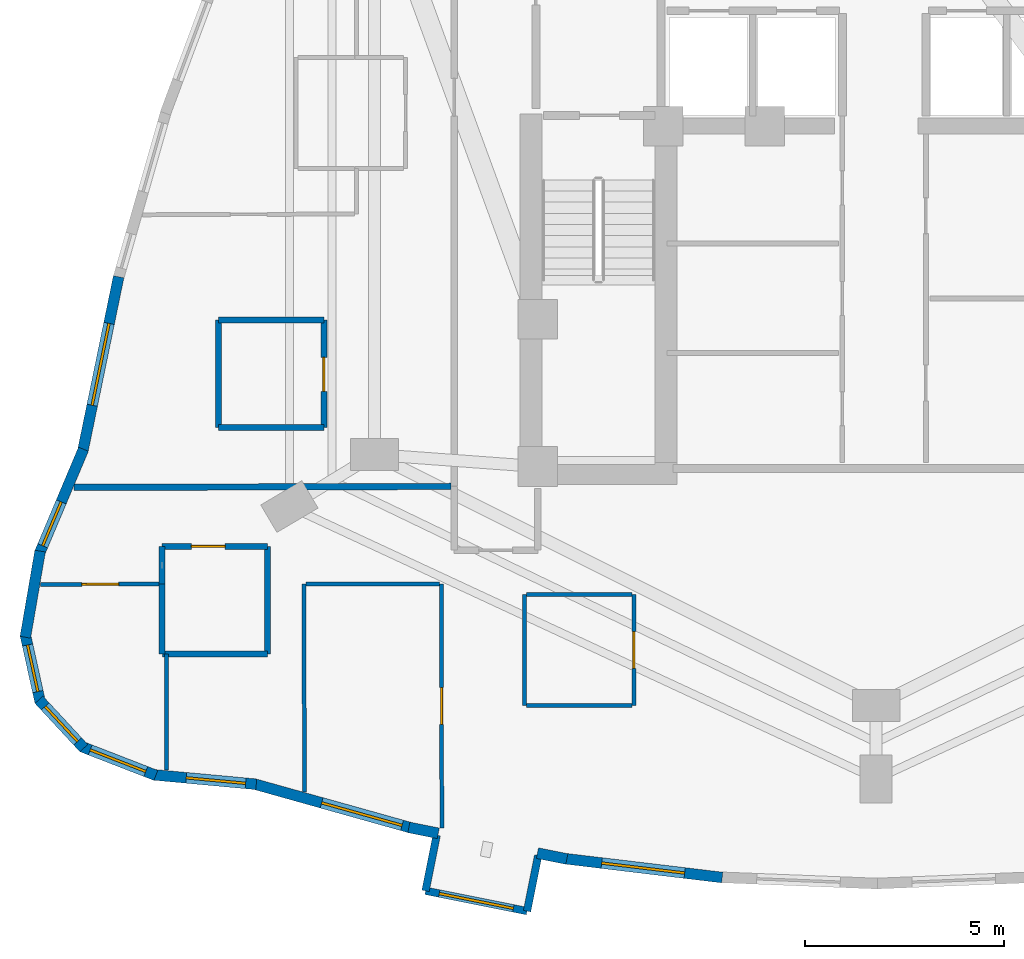
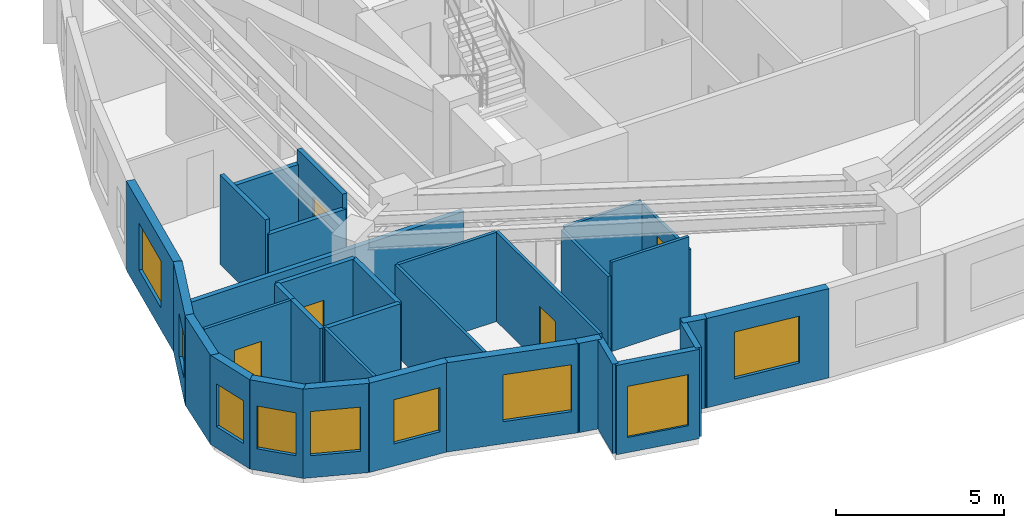
# One storey, part 5 of 11: 33 walls, 9 windows, 5 doors, 14 openings.
"""IFC4 building model written with IfcOpenShell, lengths in metres."""

from ifc_helpers import new_model, si_unit, direction, frame, frame_2d, origin, place, context, subcontext, project, spatial, rectangle, extrude, material, layer, layer_set, type_object, element, fill, save


model = new_model("IFC4")

# Units and contexts
model_context = context("Model", 3, precision=1e-05, world=origin(), true_north=direction((0.0, 1.0)))
body_context = subcontext(model_context, "Body", "Model", "MODEL_VIEW")
ifc_project = project(units=[si_unit("LENGTHUNIT", "METRE"), si_unit("AREAUNIT", "SQUARE_METRE"), si_unit("VOLUMEUNIT", "CUBIC_METRE"), si_unit("PLANEANGLEUNIT", "RADIAN"), si_unit("MASSUNIT", "GRAM", prefix="KILO")], contexts=[model_context])

# Site, building, storey
site_placement = place(None, origin())
site = spatial("IfcSite", under=ifc_project, at=site_placement, CompositionType="ELEMENT")
building_placement = place(site_placement, origin())
building = spatial("IfcBuilding", under=site, at=building_placement, Name="Miruveldt Soraemaru", CompositionType="ELEMENT")
storey_placement = place(building_placement, frame((0.0, 0.0, 156.39990234375)))
storey = spatial("IfcBuildingStorey", under=building, at=storey_placement, Name="L43", CompositionType="ELEMENT", Elevation=156.39990234375)

# Walls
ifc_material_1 = material(Name="White powder-coated aluminium EN AW-6060 T6", Category="aluminium")
ifc_layer_1 = layer(ifc_material_1, 0.18994140625, Name="White powder-coated aluminium EN AW-6060 T6", Category="aluminium")
ifc_layer_set_1 = layer_set([ifc_layer_1], Name="White powder-coated aluminium EN AW-6060 T6")
wall_type_1 = type_object("IfcWallType", Name="WALL-BAY-ALU190", PredefinedType="SOLIDWALL", material=ifc_layer_set_1)
for number, where, z_axis, x_axis, name in (
    (1, (32.960205078125, 26.23828125, 0.0), (0.0, 0.0, 1.0), (-0.195984352603, -0.980607022989, 0.0), "L43 Bay Window Side Cheek 1L"),
    (2, (35.230224609375, 24.330810546875, 0.0), (0.0, 0.0, 1.0), (0.196149079112, 0.980574086321, 0.0), "L43 Bay Window Side Cheek 1R"),
):
    element("IfcWall", number, at=place(storey_placement, frame(where, z_axis=z_axis, x_axis=x_axis)), inside=storey, type_object=wall_type_1, Name=name, PredefinedType="SOLIDWALL", context=body_context, shape_type="SweptSolid", body=[
        extrude(rectangle(XDim=1.425048828125, YDim=0.18994140625, at=frame_2d((0.71240234375, 0.0))), origin(), (0.0, 0.0, 1.0), 3.235107421875),
    ])

# Wall, opening, window
wall_1_placement = place(storey_placement, frame((32.680908203125, 24.8408203125, 0.0), z_axis=(0.0, 0.0, 1.0), x_axis=(0.980569838849, -0.196170311564, 0.0)))
wall_1 = element("IfcWall", 3, at=wall_1_placement, inside=storey, type_object=wall_type_1, Name="L43 Bay Window Front Frame 1", PredefinedType="SOLIDWALL", context=body_context, shape_type="SweptSolid", body=[
    extrude(rectangle(XDim=2.599853515625, YDim=0.18994140625, at=frame_2d((1.2998046875, 0.0))), origin(), (0.0, 0.0, 1.0), 3.235107421875),
])
opening_1_placement = place(wall_1_placement, frame((0.35009765625, 0.0, 0.550048828125)))
opening_1 = element("IfcOpeningElement", 4, at=opening_1_placement, cuts=wall_1, Name="Opening WN-6", PredefinedType="OPENING", context=body_context, shape_type="SweptSolid", body=[
    extrude(rectangle(XDim=1.89990234375, YDim=1.85009765625, at=frame_2d((0.949951171875, 0.925048828125))), frame((0.0, 0.10498046875, 0.0), z_axis=(0.0, -1.0, 0.0), x_axis=(1.0, 0.0, 0.0)), (0.0, 0.0, 1.0), 0.2099609375),
])
ifc_material_2 = material(Name="Triple low-e insulated glazing", Category="glass")
window_type_1 = type_object("IfcWindowType", Name="WIN-BAYW-1900x1850", PartitioningType="SINGLE_PANEL", PredefinedType="WINDOW", material=ifc_material_2)
window_1_placement = place(opening_1_placement, origin())
window_1 = element("IfcWindow", 5, at=window_1_placement, inside=storey, type_object=window_type_1, Name="L43 Projecting Bay Window 1", OverallHeight=1.85009765625, OverallWidth=1.89990234375, PartitioningType="SINGLE_PANEL", PredefinedType="WINDOW", context=body_context, shape_type="SweptSolid", body=[
    extrude(rectangle(XDim=1.89990234375, YDim=1.85009765625, at=frame_2d((0.949951171875, 0.925048828125))), frame((0.0, 0.030029296875, 0.0), z_axis=(0.0, -1.0, 0.0), x_axis=(1.0, 0.0, 0.0)), (0.0, 0.0, 1.0), 0.06005859375),
])
fill(opening_1, window_1)

ifc_material_3 = material(Name="Precast concrete C45/55 (45 MPa)", Category="concrete")
ifc_layer_2 = layer(ifc_material_3, 0.27001953125, Name="Precast concrete C45/55 (45 MPa)", Category="concrete")
ifc_layer_set_2 = layer_set([ifc_layer_2], Name="Precast concrete C45/55 (45 MPa)")
wall_type_2 = type_object("IfcWallType", Name="WALL-EXT-PC270", PredefinedType="SOLIDWALL", material=ifc_layer_set_2)
wall_2_placement = place(storey_placement, frame((24.970458984375, 40.267333984375, 0.0), z_axis=(0.0, 0.0, 1.0), x_axis=(-0.201559360884, -0.979476300908, 0.0)))
wall_2 = element("IfcWall", 6, at=wall_2_placement, inside=storey, type_object=wall_type_2, Name="L43 Precast Concrete Facade Wall 14", PredefinedType="SOLIDWALL", context=body_context, shape_type="SweptSolid", body=[
    extrude(rectangle(XDim=4.491455078125, YDim=0.27001953125, at=frame_2d((2.24560546875, 0.0))), origin(), (0.0, 0.0, 1.0), 3.235107421875),
])
opening_2_placement = place(wall_2_placement, frame((1.196044921875, 0.0, 0.800048828125)))
opening_2 = element("IfcOpeningElement", 7, at=opening_2_placement, cuts=wall_2, Name="Opening WN-1", PredefinedType="OPENING", context=body_context, shape_type="SweptSolid", body=[
    extrude(rectangle(XDim=2.10009765625, YDim=1.699951171875, at=frame_2d((1.050048828125, 0.85009765625))), frame((0.0, 0.14501953125, 0.0), z_axis=(0.0, -1.0, 0.0), x_axis=(1.0, 0.0, 0.0)), (0.0, 0.0, 1.0), 0.2900390625),
])
window_type_2 = type_object("IfcWindowType", Name="WIN-PUNCH-2100x1700", PartitioningType="SINGLE_PANEL", PredefinedType="WINDOW", material=ifc_material_2)
window_2_placement = place(opening_2_placement, origin())
window_2 = element("IfcWindow", 8, at=window_2_placement, inside=storey, type_object=window_type_2, Name="L43 Punched Triple-Glazed Window 14.1", OverallHeight=1.699951171875, OverallWidth=2.10009765625, PartitioningType="SINGLE_PANEL", PredefinedType="WINDOW", context=body_context, shape_type="SweptSolid", body=[
    extrude(rectangle(XDim=2.10009765625, YDim=1.699951171875, at=frame_2d((1.050048828125, 0.85009765625))), frame((0.0, 0.030029296875, 0.0), z_axis=(0.0, -1.0, 0.0), x_axis=(1.0, 0.0, 0.0)), (0.0, 0.0, 1.0), 0.06005859375),
])
fill(opening_2, window_2)

wall_3_placement = place(storey_placement, frame((24.085693359375, 35.9345703125, 0.0), z_axis=(0.0, 0.0, 1.0), x_axis=(-0.38860845705, -0.921402988442, 0.0)))
wall_3 = element("IfcWall", 9, at=wall_3_placement, inside=storey, type_object=wall_type_2, Name="L43 Precast Concrete Facade Wall 15", PredefinedType="SOLIDWALL", context=body_context, shape_type="SweptSolid", body=[
    extrude(rectangle(XDim=2.849609375, YDim=0.27001953125, at=frame_2d((1.4248046875, 0.0))), origin(), (0.0, 0.0, 1.0), 3.235107421875),
])
opening_3_placement = place(wall_3_placement, frame((1.43408203125, 0.0, 0.780029296875)))
opening_3 = element("IfcOpeningElement", 10, at=opening_3_placement, cuts=wall_3, Name="Opening WN-4", PredefinedType="OPENING", context=body_context, shape_type="SweptSolid", body=[
    extrude(rectangle(XDim=1.199951171875, YDim=1.550048828125, at=frame_2d((0.60009765625, 0.77490234375))), frame((0.0, 0.14501953125, 0.0), z_axis=(0.0, -1.0, 0.0), x_axis=(1.0, 0.0, 0.0)), (0.0, 0.0, 1.0), 0.2900390625),
])
window_type_3 = type_object("IfcWindowType", Name="WIN-PUNCH-1200x1550", PartitioningType="SINGLE_PANEL", PredefinedType="WINDOW", material=ifc_material_2)
window_3_placement = place(opening_3_placement, origin())
window_3 = element("IfcWindow", 11, at=window_3_placement, inside=storey, type_object=window_type_3, Name="L43 Punched Triple-Glazed Window 15.1", OverallHeight=1.550048828125, OverallWidth=1.199951171875, PartitioningType="SINGLE_PANEL", PredefinedType="WINDOW", context=body_context, shape_type="SweptSolid", body=[
    extrude(rectangle(XDim=1.199951171875, YDim=1.550048828125, at=frame_2d((0.60009765625, 0.77490234375))), frame((0.0, 0.030029296875, 0.0), z_axis=(0.0, -1.0, 0.0), x_axis=(1.0, 0.0, 0.0)), (0.0, 0.0, 1.0), 0.06005859375),
])
fill(opening_3, window_3)

# Wall
wall_4_placement = place(storey_placement, frame((22.997802734375, 33.37548828125, 0.0), z_axis=(0.0, 0.0, 1.0), x_axis=(-0.169300112967, -0.98556454469, 0.0)))
element("IfcWall", 12, at=wall_4_placement, inside=storey, type_object=wall_type_2, Name="L43 Precast Concrete Facade Wall 16", PredefinedType="SOLIDWALL", context=body_context, shape_type="SweptSolid", body=[
    extrude(rectangle(XDim=2.1962890625, YDim=0.27001953125, at=frame_2d((1.09814453125, 0.0))), origin(), (0.0, 0.0, 1.0), 3.235107421875),
])

# Wall, opening, window
wall_5_placement = place(storey_placement, frame((22.624267578125, 31.279541015625, 0.0), z_axis=(0.0, 0.0, 1.0), x_axis=(0.215756106761, -0.97644728603, 0.0)))
wall_5 = element("IfcWall", 13, at=wall_5_placement, inside=storey, type_object=wall_type_2, Name="L43 Precast Concrete Facade Wall 17", PredefinedType="SOLIDWALL", context=body_context, shape_type="SweptSolid", body=[
    extrude(rectangle(XDim=1.7392578125, YDim=0.27001953125, at=frame_2d((0.86962890625, 0.0))), origin(), (0.0, 0.0, 1.0), 3.235107421875),
])
opening_4_placement = place(wall_5_placement, frame((0.26904296875, 0.0, 0.780029296875)))
opening_4 = element("IfcOpeningElement", 14, at=opening_4_placement, cuts=wall_5, Name="Opening WN-4", PredefinedType="OPENING", context=body_context, shape_type="SweptSolid", body=[
    extrude(rectangle(XDim=1.199951171875, YDim=1.550048828125, at=frame_2d((0.60009765625, 0.77490234375))), frame((0.0, 0.14501953125, 0.0), z_axis=(0.0, -1.0, 0.0), x_axis=(1.0, 0.0, 0.0)), (0.0, 0.0, 1.0), 0.2900390625),
])
window_4_placement = place(opening_4_placement, origin())
window_4 = element("IfcWindow", 15, at=window_4_placement, inside=storey, type_object=window_type_3, Name="L43 Punched Triple-Glazed Window 17.1", OverallHeight=1.550048828125, OverallWidth=1.199951171875, PartitioningType="SINGLE_PANEL", PredefinedType="WINDOW", context=body_context, shape_type="SweptSolid", body=[
    extrude(rectangle(XDim=1.199951171875, YDim=1.550048828125, at=frame_2d((0.60009765625, 0.77490234375))), frame((0.0, 0.030029296875, 0.0), z_axis=(0.0, -1.0, 0.0), x_axis=(1.0, 0.0, 0.0)), (0.0, 0.0, 1.0), 0.06005859375),
])
fill(opening_4, window_4)

wall_6_placement = place(storey_placement, frame((22.968017578125, 29.64111328125, 0.0), z_axis=(0.0, 0.0, 1.0), x_axis=(0.680185643982, -0.733039896404, 0.0)))
wall_6 = element("IfcWall", 16, at=wall_6_placement, inside=storey, type_object=wall_type_2, Name="L43 Precast Concrete Facade Wall 18", PredefinedType="SOLIDWALL", context=body_context, shape_type="SweptSolid", body=[
    extrude(rectangle(XDim=1.658203125, YDim=0.27001953125, at=frame_2d((0.8291015625, 0.0))), origin(), (0.0, 0.0, 1.0), 3.235107421875),
])
opening_5_placement = place(wall_6_placement, frame((0.22900390625, 0.0, 0.780029296875)))
opening_5 = element("IfcOpeningElement", 17, at=opening_5_placement, cuts=wall_6, Name="Opening WN-4", PredefinedType="OPENING", context=body_context, shape_type="SweptSolid", body=[
    extrude(rectangle(XDim=1.199951171875, YDim=1.550048828125, at=frame_2d((0.60009765625, 0.77490234375))), frame((0.0, 0.14501953125, 0.0), z_axis=(0.0, -1.0, 0.0), x_axis=(1.0, 0.0, 0.0)), (0.0, 0.0, 1.0), 0.2900390625),
])
window_5_placement = place(opening_5_placement, origin())
window_5 = element("IfcWindow", 18, at=window_5_placement, inside=storey, type_object=window_type_3, Name="L43 Punched Triple-Glazed Window 18.1", OverallHeight=1.550048828125, OverallWidth=1.199951171875, PartitioningType="SINGLE_PANEL", PredefinedType="WINDOW", context=body_context, shape_type="SweptSolid", body=[
    extrude(rectangle(XDim=1.199951171875, YDim=1.550048828125, at=frame_2d((0.60009765625, 0.77490234375))), frame((0.0, 0.030029296875, 0.0), z_axis=(0.0, -1.0, 0.0), x_axis=(1.0, 0.0, 0.0)), (0.0, 0.0, 1.0), 0.06005859375),
])
fill(opening_5, window_5)

wall_7_placement = place(storey_placement, frame((24.03955078125, 28.4638671875, 0.0), z_axis=(0.0, 0.0, 1.0), x_axis=(0.932288278252, -0.361716140411, 0.0)))
wall_7 = element("IfcWall", 19, at=wall_7_placement, inside=storey, type_object=wall_type_2, Name="L43 Precast Concrete Facade Wall 19", PredefinedType="SOLIDWALL", context=body_context, shape_type="SweptSolid", body=[
    extrude(rectangle(XDim=2.001220703125, YDim=0.27001953125, at=frame_2d((1.00048828125, 0.0))), origin(), (0.0, 0.0, 1.0), 3.235107421875),
])
opening_6_placement = place(wall_7_placement, frame((0.23095703125, 0.0, 0.800048828125)))
opening_6 = element("IfcOpeningElement", 20, at=opening_6_placement, cuts=wall_7, Name="Opening WN-3", PredefinedType="OPENING", context=body_context, shape_type="SweptSolid", body=[
    extrude(rectangle(XDim=1.5, YDim=1.60009765625, at=frame_2d((0.75, 0.800048828125))), frame((0.0, 0.14501953125, 0.0), z_axis=(0.0, -1.0, 0.0), x_axis=(1.0, 0.0, 0.0)), (0.0, 0.0, 1.0), 0.2900390625),
])
window_type_4 = type_object("IfcWindowType", Name="WIN-PUNCH-1500x1600", PartitioningType="SINGLE_PANEL", PredefinedType="WINDOW", material=ifc_material_2)
window_6_placement = place(opening_6_placement, origin())
window_6 = element("IfcWindow", 21, at=window_6_placement, inside=storey, type_object=window_type_4, Name="L43 Punched Triple-Glazed Window 19.1", OverallHeight=1.60009765625, OverallWidth=1.5, PartitioningType="SINGLE_PANEL", PredefinedType="WINDOW", context=body_context, shape_type="SweptSolid", body=[
    extrude(rectangle(XDim=1.5, YDim=1.60009765625, at=frame_2d((0.75, 0.800048828125))), frame((0.0, 0.030029296875, 0.0), z_axis=(0.0, -1.0, 0.0), x_axis=(1.0, 0.0, 0.0)), (0.0, 0.0, 1.0), 0.06005859375),
])
fill(opening_6, window_6)

wall_8_placement = place(storey_placement, frame((25.837890625, 27.755859375, 0.0), z_axis=(0.0, 0.0, 1.0), x_axis=(0.99576139122, -0.091974190706, 0.0)))
wall_8 = element("IfcWall", 22, at=wall_8_placement, inside=storey, type_object=wall_type_2, Name="L43 Precast Concrete Facade Wall 20", PredefinedType="SOLIDWALL", context=body_context, shape_type="SweptSolid", body=[
    extrude(rectangle(XDim=2.601318359375, YDim=0.27001953125, at=frame_2d((1.30078125, 0.0))), origin(), (0.0, 0.0, 1.0), 3.235107421875),
])
opening_7_placement = place(wall_8_placement, frame((0.8330078125, 0.0, 0.800048828125)))
opening_7 = element("IfcOpeningElement", 23, at=opening_7_placement, cuts=wall_8, Name="Opening WN-3", PredefinedType="OPENING", context=body_context, shape_type="SweptSolid", body=[
    extrude(rectangle(XDim=1.5, YDim=1.60009765625, at=frame_2d((0.75, 0.800048828125))), frame((0.0, 0.14501953125, 0.0), z_axis=(0.0, -1.0, 0.0), x_axis=(1.0, 0.0, 0.0)), (0.0, 0.0, 1.0), 0.2900390625),
])
window_7_placement = place(opening_7_placement, origin())
window_7 = element("IfcWindow", 24, at=window_7_placement, inside=storey, type_object=window_type_4, Name="L43 Punched Triple-Glazed Window 20.1", OverallHeight=1.60009765625, OverallWidth=1.5, PartitioningType="SINGLE_PANEL", PredefinedType="WINDOW", context=body_context, shape_type="SweptSolid", body=[
    extrude(rectangle(XDim=1.5, YDim=1.60009765625, at=frame_2d((0.75, 0.800048828125))), frame((0.0, 0.030029296875, 0.0), z_axis=(0.0, -1.0, 0.0), x_axis=(1.0, 0.0, 0.0)), (0.0, 0.0, 1.0), 0.06005859375),
])
fill(opening_7, window_7)

wall_9_placement = place(storey_placement, frame((28.359619140625, 27.529296875, 0.0), z_axis=(0.0, 0.0, 1.0), x_axis=(0.962963404524, -0.269632122618, 0.0)))
wall_9 = element("IfcWall", 25, at=wall_9_placement, inside=storey, type_object=wall_type_2, Name="L43 Precast Concrete Facade Wall 21", PredefinedType="SOLIDWALL", context=body_context, shape_type="SweptSolid", body=[
    extrude(rectangle(XDim=4.12158203125, YDim=0.27001953125, at=frame_2d((2.060791015625, 0.0))), origin(), (0.0, 0.0, 1.0), 3.235107421875),
])
opening_8_placement = place(wall_9_placement, frame((1.77490234375, 0.0, 0.800048828125)))
opening_8 = element("IfcOpeningElement", 26, at=opening_8_placement, cuts=wall_9, Name="Opening WN-1", PredefinedType="OPENING", context=body_context, shape_type="SweptSolid", body=[
    extrude(rectangle(XDim=2.10009765625, YDim=1.699951171875, at=frame_2d((1.050048828125, 0.85009765625))), frame((0.0, 0.14501953125, 0.0), z_axis=(0.0, -1.0, 0.0), x_axis=(1.0, 0.0, 0.0)), (0.0, 0.0, 1.0), 0.2900390625),
])
window_8_placement = place(opening_8_placement, origin())
window_8 = element("IfcWindow", 27, at=window_8_placement, inside=storey, type_object=window_type_2, Name="L43 Punched Triple-Glazed Window 21.1", OverallHeight=1.699951171875, OverallWidth=2.10009765625, PartitioningType="SINGLE_PANEL", PredefinedType="WINDOW", context=body_context, shape_type="SweptSolid", body=[
    extrude(rectangle(XDim=2.10009765625, YDim=1.699951171875, at=frame_2d((1.050048828125, 0.85009765625))), frame((0.0, 0.030029296875, 0.0), z_axis=(0.0, -1.0, 0.0), x_axis=(1.0, 0.0, 0.0)), (0.0, 0.0, 1.0), 0.06005859375),
])
fill(opening_8, window_8)

# Walls
for number, where, z_axis, x_axis, name in (
    (28, (32.2607421875, 26.434326171875, 0.0), (0.0, 0.0, 1.0), (0.980580675691, -0.196116135138, 0.0), "L43 Precast Pier Wall 22A"),
    (29, (35.4912109375, 25.7880859375, 0.0), (0.0, 0.0, 1.0), (0.980580675691, -0.196116135138, 0.0), "L43 Precast Pier Wall 22B"),
):
    element("IfcWall", number, at=place(storey_placement, frame(where, z_axis=z_axis, x_axis=x_axis)), inside=storey, type_object=wall_type_2, Name=name, PredefinedType="SOLIDWALL", context=body_context, shape_type="SweptSolid", body=[
        extrude(rectangle(XDim=0.75439453125, YDim=0.27001953125, at=frame_2d((0.377197265625, 0.0))), origin(), (0.0, 0.0, 1.0), 3.235107421875),
    ])

# Wall, opening, window
wall_10_placement = place(storey_placement, frame((36.161865234375, 25.651123046875, 0.0), z_axis=(0.0, 0.0, 1.0), x_axis=(0.99287626081, -0.119150034495, 0.0)))
wall_10 = element("IfcWall", 30, at=wall_10_placement, inside=storey, type_object=wall_type_2, Name="L43 Precast Concrete Facade Wall 23", PredefinedType="SOLIDWALL", context=body_context, shape_type="SweptSolid", body=[
    extrude(rectangle(XDim=3.999755859375, YDim=0.27001953125, at=frame_2d((2.0, 0.0))), origin(), (0.0, 0.0, 1.0), 3.235107421875),
])
opening_9_placement = place(wall_10_placement, frame((0.949951171875, 0.0, 0.800048828125)))
opening_9 = element("IfcOpeningElement", 31, at=opening_9_placement, cuts=wall_10, Name="Opening WN-1", PredefinedType="OPENING", context=body_context, shape_type="SweptSolid", body=[
    extrude(rectangle(XDim=2.10009765625, YDim=1.699951171875, at=frame_2d((1.050048828125, 0.85009765625))), frame((0.0, 0.14501953125, 0.0), z_axis=(0.0, -1.0, 0.0), x_axis=(1.0, 0.0, 0.0)), (0.0, 0.0, 1.0), 0.2900390625),
])
window_9_placement = place(opening_9_placement, origin())
window_9 = element("IfcWindow", 32, at=window_9_placement, inside=storey, type_object=window_type_2, Name="L43 Punched Triple-Glazed Window 23.1", OverallHeight=1.699951171875, OverallWidth=2.10009765625, PartitioningType="SINGLE_PANEL", PredefinedType="WINDOW", context=body_context, shape_type="SweptSolid", body=[
    extrude(rectangle(XDim=2.10009765625, YDim=1.699951171875, at=frame_2d((1.050048828125, 0.85009765625))), frame((0.0, 0.030029296875, 0.0), z_axis=(0.0, -1.0, 0.0), x_axis=(1.0, 0.0, 0.0)), (0.0, 0.0, 1.0), 0.06005859375),
])
fill(opening_9, window_9)

# Wall, opening, door
ifc_material_4 = material(Name="Gypsum plasterboard lining", Category="gypsum")
ifc_layer_3 = layer(ifc_material_4, 0.10009765625, Name="Gypsum plasterboard lining", Category="gypsum")
ifc_layer_set_3 = layer_set([ifc_layer_3], Name="Gypsum plasterboard lining")
wall_type_3 = type_object("IfcWallType", Name="WALL-INT-P100", PredefinedType="PARTITIONING", material=ifc_layer_set_3)
wall_11_placement = place(storey_placement, frame((33.075927734375, 32.550048828125, 0.0), z_axis=(0.0, 0.0, 1.0), x_axis=(0.002310290588, -0.999997331275, 0.0)))
wall_11 = element("IfcWall", 33, at=wall_11_placement, inside=storey, type_object=wall_type_3, Name="L43 Partition Wall 74", PredefinedType="PARTITIONING", context=body_context, shape_type="SweptSolid", body=[
    extrude(rectangle(XDim=6.129150390625, YDim=0.10009765625, at=frame_2d((3.064453125, 0.0))), origin(), (0.0, 0.0, 1.0), 3.235107421875),
])
opening_10_placement = place(wall_11_placement, frame((2.60498046875, 0.0, 0.0)))
opening_10 = element("IfcOpeningElement", 34, at=opening_10_placement, cuts=wall_11, Name="Opening D3A", PredefinedType="OPENING", context=body_context, shape_type="SweptSolid", body=[
    extrude(rectangle(XDim=0.919921875, YDim=2.10009765625, at=frame_2d((0.4599609375, 1.050048828125))), frame((0.0, 0.06005859375, 0.0), z_axis=(0.0, -1.0, 0.0), x_axis=(1.0, 0.0, 0.0)), (0.0, 0.0, 1.0), 0.1201171875),
])
ifc_material_5 = material(Name="Anodised aluminium EN AW-6063 T6", Category="aluminium")
door_type_1 = type_object("IfcDoorType", Name="DOOR-INT-920", OperationType="NOTDEFINED", PredefinedType="DOOR", material=ifc_material_5)
door_1_placement = place(opening_10_placement, origin())
door_1 = element("IfcDoor", 35, at=door_1_placement, inside=storey, type_object=door_type_1, Name="L43 Unit 4306 EXT Door", OperationType="SINGLE_SWING_LEFT", OverallHeight=2.10009765625, OverallWidth=0.919921875, PredefinedType="DOOR", context=body_context, shape_type="SweptSolid", body=[
    extrude(rectangle(XDim=0.919921875, YDim=2.10009765625, at=frame_2d((0.4599609375, 1.050048828125))), frame((0.0, 0.02490234375, 0.0), z_axis=(0.0, -1.0, 0.0), x_axis=(1.0, 0.0, 0.0)), (0.0, 0.0, 1.0), 0.050048828125),
])
fill(opening_10, door_1)

wall_12_placement = place(storey_placement, frame((23.006103515625, 32.5380859375, 0.0), z_axis=(0.0, 0.0, 1.0), x_axis=(0.999992080463, 0.003979825531, 0.0)))
wall_12 = element("IfcWall", 36, at=wall_12_placement, inside=storey, type_object=wall_type_3, Name="L43 Partition Wall 70", PredefinedType="PARTITIONING", context=body_context, shape_type="SweptSolid", body=[
    extrude(rectangle(XDim=3.005859375, YDim=0.10009765625, at=frame_2d((1.5029296875, 0.0))), origin(), (0.0, 0.0, 1.0), 3.235107421875),
])
opening_11_placement = place(wall_12_placement, frame((1.04296875, 0.0, 0.0)))
opening_11 = element("IfcOpeningElement", 37, at=opening_11_placement, cuts=wall_12, Name="Opening D3A", PredefinedType="OPENING", context=body_context, shape_type="SweptSolid", body=[
    extrude(rectangle(XDim=0.919921875, YDim=2.10009765625, at=frame_2d((0.4599609375, 1.050048828125))), frame((0.0, 0.06005859375, 0.0), z_axis=(0.0, -1.0, 0.0), x_axis=(1.0, 0.0, 0.0)), (0.0, 0.0, 1.0), 0.1201171875),
])
door_2_placement = place(opening_11_placement, origin())
door_2 = element("IfcDoor", 38, at=door_2_placement, inside=storey, type_object=door_type_1, Name="L43 Unit 4306 BD1 Door", OperationType="SINGLE_SWING_RIGHT", OverallHeight=2.10009765625, OverallWidth=0.919921875, PredefinedType="DOOR", context=body_context, shape_type="SweptSolid", body=[
    extrude(rectangle(XDim=0.919921875, YDim=2.10009765625, at=frame_2d((0.4599609375, 1.050048828125))), frame((0.0, 0.02490234375, 0.0), z_axis=(0.0, -1.0, 0.0), x_axis=(1.0, 0.0, 0.0)), (0.0, 0.0, 1.0), 0.050048828125),
])
fill(opening_11, door_2)

wall_13_placement = place(storey_placement, frame((37.912109375, 29.490966796875, 0.0), z_axis=(0.0, 0.0, 1.0), x_axis=(0.0, 1.0, 0.0)))
wall_13 = element("IfcWall", 39, at=wall_13_placement, inside=storey, type_object=wall_type_3, Name="L43 Partition Wall 66", PredefinedType="PARTITIONING", context=body_context, shape_type="SweptSolid", body=[
    extrude(rectangle(XDim=2.800048828125, YDim=0.10009765625, at=frame_2d((1.39990234375, 0.0))), origin(), (0.0, 0.0, 1.0), 2.72314453125),
])
opening_12_placement = place(wall_13_placement, frame((0.93994140625, 0.0, 0.0)))
opening_12 = element("IfcOpeningElement", 40, at=opening_12_placement, cuts=wall_13, Name="Opening D3A", PredefinedType="OPENING", context=body_context, shape_type="SweptSolid", body=[
    extrude(rectangle(XDim=0.919921875, YDim=2.10009765625, at=frame_2d((0.4599609375, 1.050048828125))), frame((0.0, 0.06005859375, 0.0), z_axis=(0.0, -1.0, 0.0), x_axis=(1.0, 0.0, 0.0)), (0.0, 0.0, 1.0), 0.1201171875),
])
door_3_placement = place(opening_12_placement, origin())
door_3 = element("IfcDoor", 41, at=door_3_placement, inside=storey, type_object=door_type_1, Name="L43 Unit 4306 KIT Door", OperationType="SINGLE_SWING_LEFT", OverallHeight=2.10009765625, OverallWidth=0.919921875, PredefinedType="DOOR", context=body_context, shape_type="SweptSolid", body=[
    extrude(rectangle(XDim=0.919921875, YDim=2.10009765625, at=frame_2d((0.4599609375, 1.050048828125))), frame((0.0, 0.02490234375, 0.0), z_axis=(0.0, -1.0, 0.0), x_axis=(1.0, 0.0, 0.0)), (0.0, 0.0, 1.0), 0.050048828125),
])
fill(opening_12, door_3)

# Walls
wall_14_placement = place(storey_placement, frame((29.64111328125, 27.325927734375, 0.0), z_axis=(0.0, 0.0, 1.0), x_axis=(-0.003645176268, 0.999993356323, 0.0)))
element("IfcWall", 42, at=wall_14_placement, inside=storey, type_object=wall_type_3, Name="L43 Partition Wall 72", PredefinedType="PARTITIONING", context=body_context, shape_type="SweptSolid", body=[
    extrude(rectangle(XDim=5.22412109375, YDim=0.10009765625, at=frame_2d((2.612060546875, 0.0))), origin(), (0.0, 0.0, 1.0), 3.235107421875),
])
wall_15_placement = place(storey_placement, frame((29.672119140625, 32.550048828125, 0.0), z_axis=(0.0, 0.0, 1.0), x_axis=(1.0, 0.0, 0.0)))
element("IfcWall", 43, at=wall_15_placement, inside=storey, type_object=wall_type_3, Name="L43 Partition Wall 73", PredefinedType="PARTITIONING", context=body_context, shape_type="SweptSolid", body=[
    extrude(rectangle(XDim=3.353759765625, YDim=0.10009765625, at=frame_2d((1.6767578125, 0.0))), origin(), (0.0, 0.0, 1.0), 3.235107421875),
])
wall_16_placement = place(storey_placement, frame((26.16796875, 30.791015625, 0.0), z_axis=(0.0, 0.0, 1.0), x_axis=(0.002093096554, -0.999997809471, 0.0)))
element("IfcWall", 44, at=wall_16_placement, inside=storey, type_object=wall_type_3, Name="L43 Partition Wall 71", PredefinedType="PARTITIONING", context=body_context, shape_type="SweptSolid", body=[
    extrude(rectangle(XDim=2.916015625, YDim=0.10009765625, at=frame_2d((1.4580078125, 0.0))), origin(), (0.0, 0.0, 1.0), 3.235107421875),
])
wall_17_placement = place(storey_placement, frame((35.162109375, 32.291015625, 0.0), z_axis=(0.0, 0.0, 1.0), x_axis=(0.0, -1.0, 0.0)))
element("IfcWall", 45, at=wall_17_placement, inside=storey, type_object=wall_type_3, Name="L43 Partition Wall 68", PredefinedType="PARTITIONING", context=body_context, shape_type="SweptSolid", body=[
    extrude(rectangle(XDim=2.800048828125, YDim=0.10009765625, at=frame_2d((1.39990234375, 0.0))), origin(), (0.0, 0.0, 1.0), 2.72314453125),
])
wall_18_placement = place(storey_placement, frame((37.862060546875, 32.291015625, 0.0), z_axis=(0.0, 0.0, 1.0), x_axis=(-1.0, 0.0, 0.0)))
element("IfcWall", 46, at=wall_18_placement, inside=storey, type_object=wall_type_3, Name="L43 Partition Wall 67", PredefinedType="PARTITIONING", context=body_context, shape_type="SweptSolid", body=[
    extrude(rectangle(XDim=2.650146484375, YDim=0.10009765625, at=frame_2d((1.3251953125, 0.0))), origin(), (0.0, 0.0, 1.0), 2.822998046875),
])
wall_19_placement = place(storey_placement, frame((35.2119140625, 29.490966796875, 0.0), z_axis=(0.0, 0.0, 1.0), x_axis=(1.0, 0.0, 0.0)))
element("IfcWall", 47, at=wall_19_placement, inside=storey, type_object=wall_type_3, Name="L43 Partition Wall 69", PredefinedType="PARTITIONING", context=body_context, shape_type="SweptSolid", body=[
    extrude(rectangle(XDim=2.650146484375, YDim=0.10009765625, at=frame_2d((1.3251953125, 0.0))), origin(), (0.0, 0.0, 1.0), 3.235107421875),
])

# Wall, opening, door
ifc_layer_4 = layer(ifc_material_4, 0.14990234375, Name="Gypsum plasterboard lining", Category="gypsum")
ifc_layer_set_4 = layer_set([ifc_layer_4], Name="Gypsum plasterboard lining")
wall_type_4 = type_object("IfcWallType", Name="WALL-INT-PLUMB", PredefinedType="PLUMBINGWALL", material=ifc_layer_set_4)
wall_20_placement = place(storey_placement, frame((30.126953125, 36.48095703125, 0.0), z_axis=(0.0, 0.0, 1.0), x_axis=(0.0, 1.0, 0.0)))
wall_20 = element("IfcWall", 48, at=wall_20_placement, inside=storey, type_object=wall_type_4, Name="L43 Partition Wall 31", PredefinedType="PLUMBINGWALL", context=body_context, shape_type="SweptSolid", body=[
    extrude(rectangle(XDim=2.699951171875, YDim=0.14990234375, at=frame_2d((1.35009765625, 0.0))), origin(), (0.0, 0.0, 1.0), 3.235107421875),
])
opening_13_placement = place(wall_20_placement, frame((0.909912109375, 0.0, 0.0)))
opening_13 = element("IfcOpeningElement", 49, at=opening_13_placement, cuts=wall_20, Name="Opening FD3", PredefinedType="OPENING", context=body_context, shape_type="SweptSolid", body=[
    extrude(rectangle(XDim=0.85009765625, YDim=2.10009765625, at=frame_2d((0.425048828125, 1.050048828125))), frame((0.0, 0.0849609375, 0.0), z_axis=(0.0, -1.0, 0.0), x_axis=(1.0, 0.0, 0.0)), (0.0, 0.0, 1.0), 0.169921875),
])
door_type_2 = type_object("IfcDoorType", Name="DOOR-FD3-850", OperationType="NOTDEFINED", PredefinedType="DOOR", material=ifc_material_5)
door_4_placement = place(opening_13_placement, origin())
door_4 = element("IfcDoor", 50, at=door_4_placement, inside=storey, type_object=door_type_2, Name="L43 Unit 4303 BTH Door", OperationType="SINGLE_SWING_RIGHT", OverallHeight=2.10009765625, OverallWidth=0.85009765625, PredefinedType="DOOR", context=body_context, shape_type="SweptSolid", body=[
    extrude(rectangle(XDim=0.85009765625, YDim=2.10009765625, at=frame_2d((0.425048828125, 1.050048828125))), frame((0.0, 0.02490234375, 0.0), z_axis=(0.0, -1.0, 0.0), x_axis=(1.0, 0.0, 0.0)), (0.0, 0.0, 1.0), 0.050048828125),
])
fill(opening_13, door_4)

wall_21_placement = place(storey_placement, frame((28.7119140625, 33.490966796875, 0.0), z_axis=(0.0, 0.0, 1.0), x_axis=(-1.0, 0.0, 0.0)))
wall_21 = element("IfcWall", 51, at=wall_21_placement, inside=storey, type_object=wall_type_4, Name="L43 Partition Wall 63", PredefinedType="PLUMBINGWALL", context=body_context, shape_type="SweptSolid", body=[
    extrude(rectangle(XDim=2.64990234375, YDim=0.14990234375, at=frame_2d((1.324951171875, 0.0))), origin(), (0.0, 0.0, 1.0), 3.235107421875),
])
opening_14_placement = place(wall_21_placement, frame((1.06494140625, 0.0, 0.0)))
opening_14 = element("IfcOpeningElement", 52, at=opening_14_placement, cuts=wall_21, Name="Opening FD3", PredefinedType="OPENING", context=body_context, shape_type="SweptSolid", body=[
    extrude(rectangle(XDim=0.85009765625, YDim=2.10009765625, at=frame_2d((0.425048828125, 1.050048828125))), frame((0.0, 0.0849609375, 0.0), z_axis=(0.0, -1.0, 0.0), x_axis=(1.0, 0.0, 0.0)), (0.0, 0.0, 1.0), 0.169921875),
])
door_5_placement = place(opening_14_placement, origin())
door_5 = element("IfcDoor", 53, at=door_5_placement, inside=storey, type_object=door_type_2, Name="L43 Unit 4306 BTH Door", OperationType="SINGLE_SWING_RIGHT", OverallHeight=2.10009765625, OverallWidth=0.85009765625, PredefinedType="DOOR", context=body_context, shape_type="SweptSolid", body=[
    extrude(rectangle(XDim=0.85009765625, YDim=2.10009765625, at=frame_2d((0.425048828125, 1.050048828125))), frame((0.0, 0.02490234375, 0.0), z_axis=(0.0, -1.0, 0.0), x_axis=(1.0, 0.0, 0.0)), (0.0, 0.0, 1.0), 0.050048828125),
])
fill(opening_14, door_5)

# Walls
for number, where, z_axis, x_axis, name in (
    (54, (28.7119140625, 30.791015625, 0.0), (0.0, 0.0, 1.0), (0.0, 1.0, 0.0), "L43 Partition Wall 62"),
    (55, (27.47705078125, 39.180908203125, 0.0), (0.0, 0.0, 1.0), (0.0, -1.0, 0.0), "L43 Partition Wall 33"),
):
    element("IfcWall", number, at=place(storey_placement, frame(where, z_axis=z_axis, x_axis=x_axis)), inside=storey, type_object=wall_type_4, Name=name, PredefinedType="PLUMBINGWALL", context=body_context, shape_type="SweptSolid", body=[
        extrude(rectangle(XDim=2.699951171875, YDim=0.14990234375, at=frame_2d((1.35009765625, 0.0))), origin(), (0.0, 0.0, 1.0), 3.235107421875),
    ])
for number, where, z_axis, x_axis, name in (
    (56, (30.126953125, 39.180908203125, 0.0), (0.0, 0.0, 1.0), (-1.0, 0.0, 0.0), "L43 Partition Wall 32"),
    (57, (27.47705078125, 36.48095703125, 0.0), (0.0, 0.0, 1.0), (1.0, 0.0, 0.0), "L43 Partition Wall 34"),
):
    element("IfcWall", number, at=place(storey_placement, frame(where, z_axis=z_axis, x_axis=x_axis)), inside=storey, type_object=wall_type_4, Name=name, PredefinedType="PLUMBINGWALL", context=body_context, shape_type="SweptSolid", body=[
        extrude(rectangle(XDim=2.64990234375, YDim=0.14990234375, at=frame_2d((1.324951171875, 0.0))), origin(), (0.0, 0.0, 1.0), 2.72314453125),
    ])
wall_22_placement = place(storey_placement, frame((26.077880859375, 30.791015625, 0.0), z_axis=(0.0, 0.0, 1.0), x_axis=(1.0, 0.0, 0.0)))
element("IfcWall", 58, at=wall_22_placement, inside=storey, type_object=wall_type_4, Name="L43 Partition Wall 65", PredefinedType="PLUMBINGWALL", context=body_context, shape_type="SweptSolid", body=[
    extrude(rectangle(XDim=2.634033203125, YDim=0.14990234375, at=frame_2d((1.31689453125, 0.0))), origin(), (0.0, 0.0, 1.0), 3.235107421875),
])
wall_23_placement = place(storey_placement, frame((26.06201171875, 32.550048828125, 0.0), z_axis=(0.0, 0.0, 1.0), x_axis=(0.0, -1.0, 0.0)))
element("IfcWall", 59, at=wall_23_placement, inside=storey, type_object=wall_type_4, Name="L43 Partition Wall 75", PredefinedType="PLUMBINGWALL", context=body_context, shape_type="SweptSolid", body=[
    extrude(rectangle(XDim=1.759033203125, YDim=0.14990234375, at=frame_2d((0.87939453125, 0.0))), origin(), (0.0, 0.0, 1.0), 3.235107421875),
])
wall_24_placement = place(storey_placement, frame((26.06201171875, 33.490966796875, 0.0), z_axis=(0.0, 0.0, 1.0), x_axis=(0.0, -1.0, 0.0)))
element("IfcWall", 60, at=wall_24_placement, inside=storey, type_object=wall_type_4, Name="L43 Partition Wall 64", PredefinedType="PLUMBINGWALL", context=body_context, shape_type="SweptSolid", body=[
    extrude(rectangle(XDim=0.94091796875, YDim=0.14990234375, at=frame_2d((0.470458984375, 0.0))), origin(), (0.0, 0.0, 1.0), 3.235107421875),
])
ifc_material_6 = material(Name="Concrete C40/50 (40 MPa)", Category="concrete")
ifc_layer_5 = layer(ifc_material_6, 0.159912109375, Name="Concrete C40/50 (40 MPa)", Category="concrete")
ifc_layer_set_5 = layer_set([ifc_layer_5], Name="Concrete C40/50 (40 MPa)")
wall_type_5 = type_object("IfcWallType", Name="WALL-INT-RC160", PredefinedType="SOLIDWALL", material=ifc_layer_set_5)
wall_25_placement = place(storey_placement, frame((23.843994140625, 34.97509765625, 0.0), z_axis=(0.0, 0.0, 1.0), x_axis=(0.999996543303, 0.002629331256, 0.0)))
element("IfcWall", 61, at=wall_25_placement, inside=storey, type_object=wall_type_5, Name="L43 Partition Wall 42", PredefinedType="SOLIDWALL", context=body_context, shape_type="SweptSolid", body=[
    extrude(rectangle(XDim=9.470947265625, YDim=0.159912109375, at=frame_2d((4.7353515625, 0.0))), origin(), (0.0, 0.0, 1.0), 2.423095703125),
])

save(model, "model.ifc")
